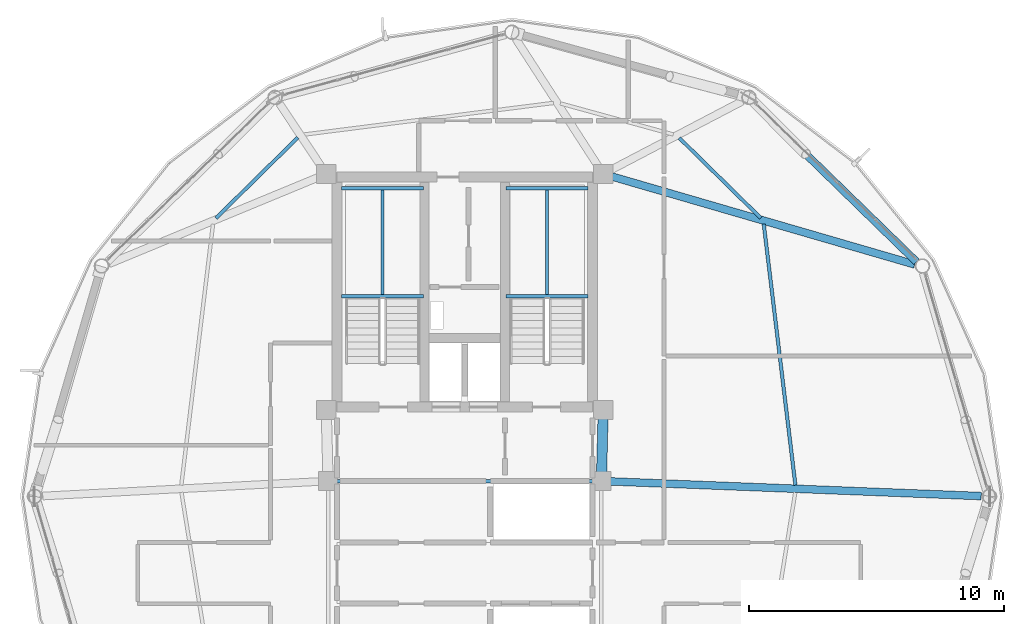
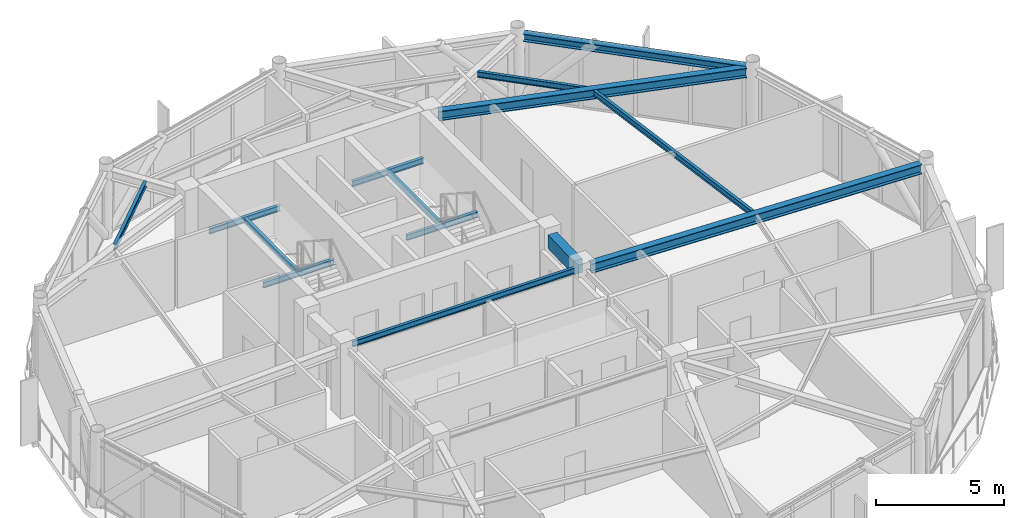
# One storey, part 14 of 28: 14 beams.
"""IFC4 building model written with IfcOpenShell, lengths in metres."""

from ifc_helpers import new_model, si_unit, direction, frame, origin, origin_2d, place, context, subcontext, project, spatial, rectangle, i_section, extrude, material, material_profile, profile_set, type_object, element, save


model = new_model("IFC4")

# Units and contexts
model_context = context("Model", 3, precision=1e-05, world=origin(), true_north=direction((0.0, 1.0)))
body_context = subcontext(model_context, "Body", "Model", "MODEL_VIEW")
ifc_project = project(units=[si_unit("LENGTHUNIT", "METRE"), si_unit("AREAUNIT", "SQUARE_METRE"), si_unit("VOLUMEUNIT", "CUBIC_METRE"), si_unit("PLANEANGLEUNIT", "RADIAN"), si_unit("MASSUNIT", "GRAM", prefix="KILO")], contexts=[model_context])

# Site, building, storey
site_placement = place(None, origin())
site = spatial("IfcSite", under=ifc_project, at=site_placement, CompositionType="ELEMENT")
building_placement = place(site_placement, origin())
building = spatial("IfcBuilding", under=site, at=building_placement, Name="Varnakorn Sky Granary", CompositionType="ELEMENT")
storey_placement = place(building_placement, frame((0.0, 0.0, 236.39990234375)))
storey = spatial("IfcBuildingStorey", under=building, at=storey_placement, Name="L60", CompositionType="ELEMENT", Elevation=236.39990234375)

# Beams
ifc_material_1 = material(Name="Concrete C50/60", Category="concrete")
ifc_material_profile_1 = material_profile(ifc_material_1, rectangle(XDim=0.39990234375, YDim=0.64990234375, at=origin_2d()), Name="RC 400x650")
ifc_profile_set_1 = profile_set([ifc_material_profile_1], Name="Concrete C50/60")
beam_type_1 = type_object("IfcBeamType", Name="BM-LIN-650", PredefinedType="LINTEL", material=ifc_profile_set_1)
beam_1_placement = place(storey_placement, frame((8.4111328125, 3.025146484375, 2.925048828125), z_axis=(-0.025227817192, -0.999681727971, 0.0), x_axis=(0.999681727971, -0.025227817192, 0.0)))
element("IfcBeam", 1, at=beam_1_placement, inside=storey, type_object=beam_type_1, Name="Core Spine Framing Beam 2 L60", PredefinedType="LINTEL", context=body_context, shape_type="SweptSolid", body=[
    extrude(rectangle(XDim=0.39990234375, YDim=0.64990234375, at=origin_2d()), origin(), (0.0, 0.0, 1.0), 2.071044921875),
])
ifc_material_2 = material(Name="Steel S355JR", Category="steel")
ifc_material_profile_2 = material_profile(ifc_material_2, i_section(OverallWidth=0.135009765625, OverallDepth=0.27001953125, WebThickness=0.006591796875, FlangeThickness=0.01025390625, at=origin_2d()), Name="IPE 270")
ifc_profile_set_2 = profile_set([ifc_material_profile_2], Name="Steel S355JR")
beam_type_2 = type_object("IfcBeamType", Name="BM-LND-270", PredefinedType="BEAM", material=ifc_profile_set_2)
for number, where, z_axis, x_axis, name in (
    (2, (-1.820068359375, 7.840087890625, 1.465087890625), (1.0, 0.0, 0.0), (0.0, 1.0, 0.0), "Stair ST-1 Landing Trimmer Beam A L60-1"),
    (3, (-1.820068359375, 12.06005859375, 1.465087890625), (1.0, 0.0, 0.0), (0.0, 1.0, 0.0), "Stair ST-1 Landing Trimmer Beam B L60-1"),
):
    element("IfcBeam", number, at=place(storey_placement, frame(where, z_axis=z_axis, x_axis=x_axis)), inside=storey, type_object=beam_type_2, Name=name, PredefinedType="BEAM", context=body_context, shape_type="SweptSolid", body=[
        extrude(i_section(OverallWidth=0.135009765625, OverallDepth=0.27001953125, WebThickness=0.006591796875, FlangeThickness=0.01025390625, at=origin_2d()), origin(), (0.0, 0.0, 1.0), 3.199951171875),
    ])
beam_2_placement = place(storey_placement, frame((-0.219970703125, 7.840087890625, 1.465087890625), z_axis=(0.0, 1.0, 0.0), x_axis=(-1.0, 0.0, 0.0)))
element("IfcBeam", 4, at=beam_2_placement, inside=storey, type_object=beam_type_2, Name="Stair ST-1 Landing Cross Beam C L60-1", PredefinedType="BEAM", context=body_context, shape_type="SweptSolid", body=[
    extrude(i_section(OverallWidth=0.135009765625, OverallDepth=0.27001953125, WebThickness=0.006591796875, FlangeThickness=0.01025390625, at=origin_2d()), origin(), (0.0, 0.0, 1.0), 4.219970703125),
])
for number, where, z_axis, x_axis, name in (
    (5, (4.6201171875, 7.840087890625, 1.465087890625), (1.0, 0.0, 0.0), (0.0, 1.0, 0.0), "Stair ST-2 Landing Trimmer Beam A L60-1"),
    (6, (4.6201171875, 12.06005859375, 1.465087890625), (1.0, 0.0, 0.0), (0.0, 1.0, 0.0), "Stair ST-2 Landing Trimmer Beam B L60-1"),
):
    element("IfcBeam", number, at=place(storey_placement, frame(where, z_axis=z_axis, x_axis=x_axis)), inside=storey, type_object=beam_type_2, Name=name, PredefinedType="BEAM", context=body_context, shape_type="SweptSolid", body=[
        extrude(i_section(OverallWidth=0.135009765625, OverallDepth=0.27001953125, WebThickness=0.006591796875, FlangeThickness=0.01025390625, at=origin_2d()), origin(), (0.0, 0.0, 1.0), 3.199951171875),
    ])
beam_3_placement = place(storey_placement, frame((6.219970703125, 7.840087890625, 1.465087890625), z_axis=(0.0, 1.0, 0.0), x_axis=(-1.0, 0.0, 0.0)))
element("IfcBeam", 7, at=beam_3_placement, inside=storey, type_object=beam_type_2, Name="Stair ST-2 Landing Cross Beam C L60-1", PredefinedType="BEAM", context=body_context, shape_type="SweptSolid", body=[
    extrude(i_section(OverallWidth=0.135009765625, OverallDepth=0.27001953125, WebThickness=0.006591796875, FlangeThickness=0.01025390625, at=origin_2d()), origin(), (0.0, 0.0, 1.0), 4.219970703125),
])
ifc_material_profile_3 = material_profile(ifc_material_2, i_section(OverallWidth=0.300048828125, OverallDepth=0.449951171875, WebThickness=0.013916015625, FlangeThickness=0.02587890625, at=origin_2d()), Name="HE 450 B")
ifc_profile_set_3 = profile_set([ifc_material_profile_3], Name="Steel S355JR")
beam_type_3 = type_object("IfcBeamType", Name="BM-RAD-Z5", PredefinedType="BEAM", material=ifc_profile_set_3)
beam_4_placement = place(storey_placement, frame((8.70458984375, 0.5859375, 3.025146484375), z_axis=(0.99921478139, -0.039620962278, 0.0), x_axis=(0.039620962278, 0.99921478139, 0.0)))
element("IfcBeam", 8, at=beam_4_placement, inside=storey, type_object=beam_type_3, Name="Radial Floor Girder RG01 L60", PredefinedType="BEAM", context=body_context, shape_type="SweptSolid", body=[
    extrude(i_section(OverallWidth=0.300048828125, OverallDepth=0.449951171875, WebThickness=0.013916015625, FlangeThickness=0.02587890625, at=origin_2d()), origin(), (0.0, 0.0, 1.0), 14.523681640625),
])
beam_5_placement = place(storey_placement, frame((8.760986328125, 12.52099609375, 3.025146484375), z_axis=(0.96027290479, -0.279062624381, 0.0), x_axis=(0.279062624381, 0.96027290479, 0.0)))
element("IfcBeam", 9, at=beam_5_placement, inside=storey, type_object=beam_type_3, Name="Radial Floor Girder RG02 L60", PredefinedType="BEAM", context=body_context, shape_type="SweptSolid", body=[
    extrude(i_section(OverallWidth=0.300048828125, OverallDepth=0.449951171875, WebThickness=0.013916015625, FlangeThickness=0.02587890625, at=origin_2d()), origin(), (0.0, 0.0, 1.0), 12.343505859375),
])
ifc_material_profile_4 = material_profile(ifc_material_2, i_section(OverallWidth=0.135009765625, OverallDepth=0.27001953125, WebThickness=0.006591796875, FlangeThickness=0.01025390625, at=origin_2d()), Name="IPE 270")
ifc_profile_set_4 = profile_set([ifc_material_profile_4], Name="Steel S355JR")
beam_type_4 = type_object("IfcBeamType", Name="BM-SEC-Z5", PredefinedType="BEAM", material=ifc_profile_set_4)
beam_6_placement = place(storey_placement, frame((15.94384765625, 0.437255859375, 3.114990234375), z_axis=(-0.12037172674, 0.992728889174, 0.0), x_axis=(-0.992728889174, -0.12037172674, 0.0)))
element("IfcBeam", 10, at=beam_6_placement, inside=storey, type_object=beam_type_4, Name="Secondary Floor Chord Beam MSB01 L60", PredefinedType="BEAM", context=body_context, shape_type="SweptSolid", body=[
    extrude(i_section(OverallWidth=0.135009765625, OverallDepth=0.27001953125, WebThickness=0.006591796875, FlangeThickness=0.01025390625, at=origin_2d()), origin(), (0.0, 0.0, 1.0), 10.29736328125),
])
beam_7_placement = place(storey_placement, frame((14.587646484375, 10.896728515625, 3.114990234375), z_axis=(-0.713359903405, 0.700797865446, 0.0), x_axis=(-0.700797865446, -0.713359903405, 0.0)))
element("IfcBeam", 11, at=beam_7_placement, inside=storey, type_object=beam_type_4, Name="Secondary Floor Chord Beam MSB02 L60", PredefinedType="BEAM", context=body_context, shape_type="SweptSolid", body=[
    extrude(i_section(OverallWidth=0.135009765625, OverallDepth=0.27001953125, WebThickness=0.006591796875, FlangeThickness=0.01025390625, at=origin_2d()), origin(), (0.0, 0.0, 1.0), 4.469970703125),
])
beam_8_placement = place(storey_placement, frame((-3.53369140625, 14.0458984375, 3.114990234375), z_axis=(-0.712490779035, -0.70168147317, 0.0), x_axis=(0.70168147317, -0.712490779035, 0.0)))
element("IfcBeam", 12, at=beam_8_placement, inside=storey, type_object=beam_type_4, Name="Secondary Floor Chord Beam MSB05 L60", PredefinedType="BEAM", context=body_context, shape_type="SweptSolid", body=[
    extrude(i_section(OverallWidth=0.135009765625, OverallDepth=0.27001953125, WebThickness=0.006591796875, FlangeThickness=0.01025390625, at=origin_2d()), origin(), (0.0, 0.0, 1.0), 4.49462890625),
])
beam_9_placement = place(storey_placement, frame((-1.9951171875, 0.60009765625, 3.114990234375), z_axis=(1.0, 0.0, 0.0), x_axis=(0.0, 1.0, 0.0)))
element("IfcBeam", 13, at=beam_9_placement, inside=storey, type_object=beam_type_4, Name="Core Spine Framing Beam 5 L60", PredefinedType="BEAM", context=body_context, shape_type="SweptSolid", body=[
    extrude(i_section(OverallWidth=0.135009765625, OverallDepth=0.27001953125, WebThickness=0.006591796875, FlangeThickness=0.01025390625, at=origin_2d()), origin(), (0.0, 0.0, 1.0), 9.990234375),
])
ifc_material_profile_5 = material_profile(ifc_material_2, i_section(OverallWidth=0.300048828125, OverallDepth=0.360107421875, WebThickness=0.012451171875, FlangeThickness=0.0224609375, at=origin_2d()), Name="HE 360 B")
ifc_profile_set_5 = profile_set([ifc_material_profile_5], Name="Steel S355JR")
beam_type_5 = type_object("IfcBeamType", Name="BM-SPD-Z5", PredefinedType="SPANDREL", material=ifc_profile_set_5)
beam_10_placement = place(storey_placement, frame((20.678466796875, 9.18701171875, 3.070068359375), z_axis=(-0.716555074358, 0.697530519341, 0.0), x_axis=(-0.697530519341, -0.716555074358, 0.0)))
element("IfcBeam", 14, at=beam_10_placement, inside=storey, type_object=beam_type_5, Name="Perimeter Spandrel Ring Beam RB02 L60", PredefinedType="SPANDREL", context=body_context, shape_type="SweptSolid", body=[
    extrude(i_section(OverallWidth=0.300048828125, OverallDepth=0.360107421875, WebThickness=0.012451171875, FlangeThickness=0.0224609375, at=origin_2d()), origin(), (0.0, 0.0, 1.0), 8.9189453125),
])

save(model, "model.ifc")
